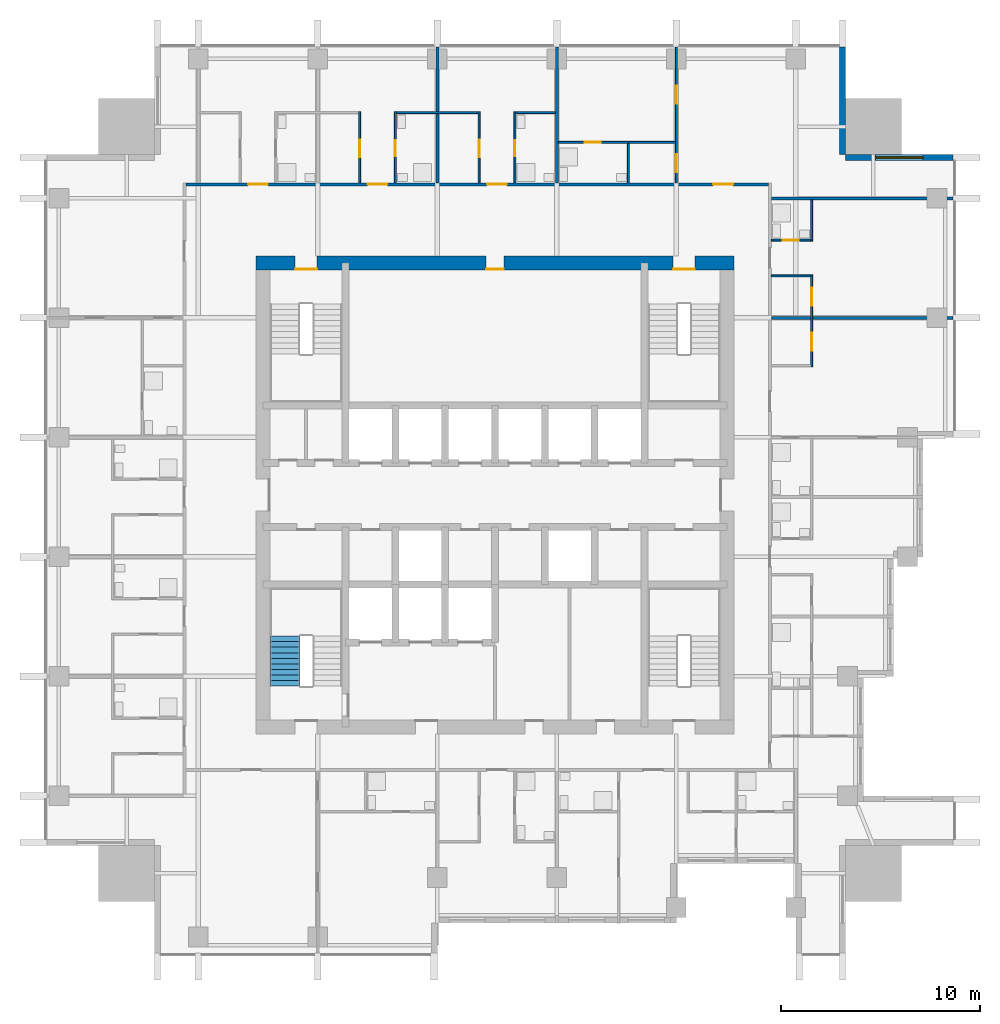
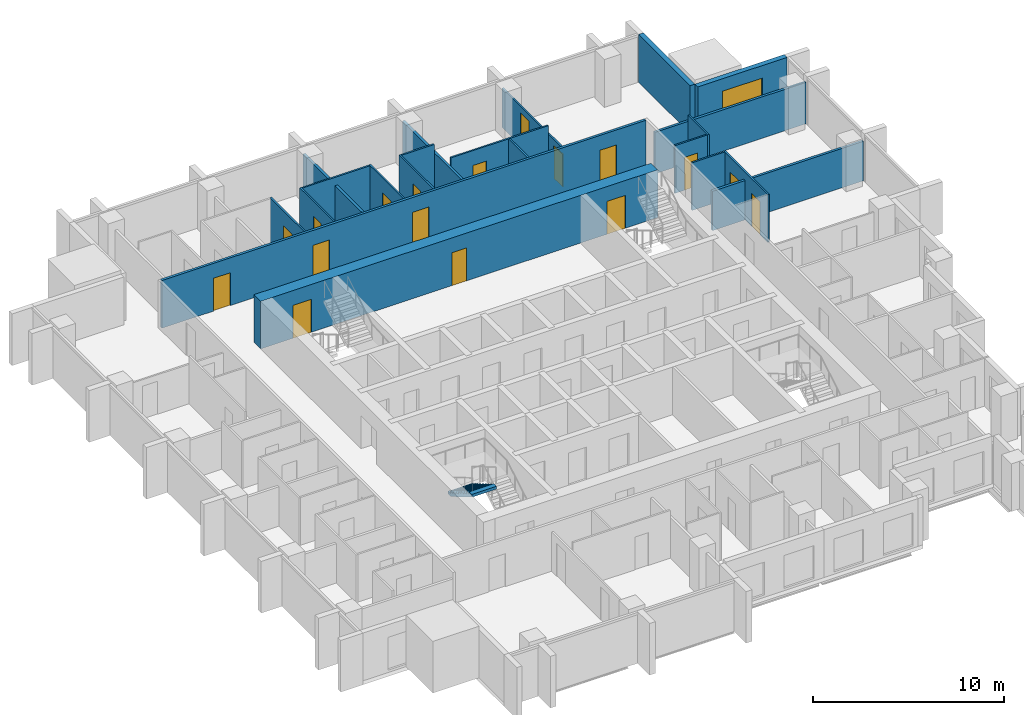
# One storey, part 8 of 11: 21 walls, 17 doors, 1 stair flight, 1 window, 18 openings, 1 element without a shape of its own.
"""IFC4 building model written with IfcOpenShell, lengths in metres."""

from ifc_helpers import new_model, si_unit, direction, frame, frame_2d, origin, place, context, subcontext, project, spatial, polyline, rectangle, outline, extrude, material, layer, layer_set, type_object, element, fill, aggregate, save


model = new_model("IFC4")

# Units and contexts
model_context = context("Model", 3, precision=1e-05, world=origin(), true_north=direction((0.0, 1.0)))
body_context = subcontext(model_context, "Body", "Model", "MODEL_VIEW")
ifc_project = project(units=[si_unit("LENGTHUNIT", "METRE"), si_unit("AREAUNIT", "SQUARE_METRE"), si_unit("VOLUMEUNIT", "CUBIC_METRE"), si_unit("PLANEANGLEUNIT", "RADIAN"), si_unit("MASSUNIT", "GRAM", prefix="KILO")], contexts=[model_context])

# Site, building, storey
site_placement = place(None, origin())
site = spatial("IfcSite", under=ifc_project, at=site_placement, CompositionType="ELEMENT")
building_placement = place(site_placement, origin())
building = spatial("IfcBuilding", under=site, at=building_placement, Name="Amberfall Residences", CompositionType="ELEMENT")
storey_placement = place(building_placement, frame((0.0, 0.0, 161.5)))
storey = spatial("IfcBuildingStorey", under=building, at=storey_placement, Name="L43", CompositionType="ELEMENT", Elevation=161.5)

# Wall, opening, window
ifc_material_1 = material(Name="Pale stone cladding on insulated backing", Category="masonry")
ifc_layer_1 = layer(ifc_material_1, 0.300048828125)
ifc_layer_set_1 = layer_set([ifc_layer_1], Name="Bronze clad wall 300")
wall_type_1 = type_object("IfcWallType", Name="Bronze clad wall 300", PredefinedType="SOLIDWALL", material=ifc_layer_set_1)
wall_1_placement = place(storey_placement, frame((97.5, 62.449951171875, 0.0), z_axis=(0.0, 0.0, 1.0), x_axis=(-1.0, 0.0, 0.0)))
wall_1 = element("IfcWall", 1, at=wall_1_placement, inside=storey, type_object=wall_type_1, Name="External wall L43 NE", PredefinedType="SOLIDWALL", context=body_context, shape_type="SweptSolid", body=[
    extrude(rectangle(XDim=5.39990234375, YDim=0.300048828125, at=frame_2d((2.699951171875, 0.0))), origin(), (0.0, 0.0, 1.0), 3.050048828125),
])
opening_1_placement = place(wall_1_placement, frame((1.5, 0.0, 0.14990234375)))
opening_1 = element("IfcOpeningElement", 2, at=opening_1_placement, cuts=wall_1, Name="Opening WN5", PredefinedType="OPENING", context=body_context, shape_type="SweptSolid", body=[
    extrude(rectangle(XDim=2.39990234375, YDim=2.10009765625, at=frame_2d((1.199951171875, 1.050048828125))), frame((0.0, 0.159912109375, 0.0), z_axis=(0.0, -1.0, 0.0), x_axis=(1.0, 0.0, 0.0)), (0.0, 0.0, 1.0), 0.320068359375),
])
ifc_material_2 = material(Name="Bronze aluminium framed glazing", Category="aluminium")
window_type = type_object("IfcWindowType", Name="Glazed opening 2400 x 2100 bronze", PartitioningType="DOUBLE_PANEL_VERTICAL", PredefinedType="WINDOW", material=ifc_material_2)
window_placement = place(opening_1_placement, origin())
window = element("IfcWindow", 3, at=window_placement, inside=storey, type_object=window_type, Name="Window L43 NE", OverallHeight=2.10009765625, OverallWidth=2.39990234375, PartitioningType="DOUBLE_PANEL_VERTICAL", PredefinedType="WINDOW", context=body_context, shape_type="SweptSolid", body=[
    extrude(rectangle(XDim=2.39990234375, YDim=2.10009765625, at=frame_2d((1.199951171875, 1.050048828125))), frame((0.0, 0.030029296875, 0.0), z_axis=(0.0, -1.0, 0.0), x_axis=(1.0, 0.0, 0.0)), (0.0, 0.0, 1.0), 0.06005859375),
])
fill(opening_1, window)

# Wall
wall_2_placement = place(storey_placement, frame((91.949951171875, 62.60009765625, 0.0), z_axis=(0.0, 0.0, 1.0), x_axis=(0.0, 1.0, 0.0)))
element("IfcWall", 4, at=wall_2_placement, inside=storey, type_object=wall_type_1, Name="External wall L43 NE", PredefinedType="SOLIDWALL", context=body_context, shape_type="SweptSolid", body=[
    extrude(rectangle(XDim=5.39990234375, YDim=0.300048828125, at=frame_2d((2.699951171875, 0.0))), origin(), (0.0, 0.0, 1.0), 3.050048828125),
])

# Wall, openings, doors
ifc_material_3 = material(Name="Concrete C60", Category="concrete")
ifc_layer_2 = layer(ifc_material_3, 0.699951171875)
ifc_layer_set_2 = layer_set([ifc_layer_2], Name="Core wall 700 C60")
wall_type_2 = type_object("IfcWallType", Name="Core wall 700 C60", PredefinedType="SHEAR", material=ifc_layer_set_2)
wall_3_placement = place(storey_placement, frame((62.5, 57.14990234375, 0.0), z_axis=(0.0, 0.0, 1.0), x_axis=(1.0, 0.0, 0.0)))
wall_3 = element("IfcWall", 5, at=wall_3_placement, inside=storey, type_object=wall_type_2, Name="Core wall RW5 L43 ON", PredefinedType="SHEAR", context=body_context, shape_type="SweptSolid", body=[
    extrude(rectangle(XDim=24.0, YDim=0.699951171875, at=frame_2d((12.0, 0.0))), origin(), (0.0, 0.0, 1.0), 3.050048828125),
])
opening_2_placement = place(wall_3_placement, frame((20.9375, 0.0, 0.0)))
opening_2 = element("IfcOpeningElement", 6, at=opening_2_placement, cuts=wall_3, Name="Opening SD1", PredefinedType="OPENING", context=body_context, shape_type="SweptSolid", body=[
    extrude(rectangle(XDim=1.10009765625, YDim=2.10009765625, at=frame_2d((0.550048828125, 1.050048828125))), frame((0.0, 0.35986328125, 0.0), z_axis=(0.0, -1.0, 0.0), x_axis=(1.0, 0.0, 0.0)), (0.0, 0.0, 1.0), 0.719970703125),
])
opening_3_placement = place(wall_3_placement, frame((1.96240234375, 0.0, 0.0)))
opening_3 = element("IfcOpeningElement", 7, at=opening_3_placement, cuts=wall_3, Name="Opening SD1", PredefinedType="OPENING", context=body_context, shape_type="SweptSolid", body=[
    extrude(rectangle(XDim=1.10009765625, YDim=2.10009765625, at=frame_2d((0.550048828125, 1.050048828125))), frame((0.0, 0.35986328125, 0.0), z_axis=(0.0, -1.0, 0.0), x_axis=(1.0, 0.0, 0.0)), (0.0, 0.0, 1.0), 0.719970703125),
])
opening_4_placement = place(wall_3_placement, frame((11.550048828125, 0.0, 0.0)))
opening_4 = element("IfcOpeningElement", 8, at=opening_4_placement, cuts=wall_3, Name="Opening RD1", PredefinedType="OPENING", context=body_context, shape_type="SweptSolid", body=[
    extrude(rectangle(XDim=0.89990234375, YDim=2.10009765625, at=frame_2d((0.449951171875, 1.050048828125))), frame((0.0, 0.35986328125, 0.0), z_axis=(0.0, -1.0, 0.0), x_axis=(1.0, 0.0, 0.0)), (0.0, 0.0, 1.0), 0.719970703125),
])
ifc_material_4 = material(Name="Steel fire door set", Category="steel")
door_type_1 = type_object("IfcDoorType", Name="Service room door 900 x 2100", OperationType="SINGLE_SWING_LEFT", PredefinedType="DOOR", material=ifc_material_4)
door_1_placement = place(opening_4_placement, origin())
door_1 = element("IfcDoor", 9, at=door_1_placement, inside=storey, type_object=door_type_1, Name="RD1 L43", OperationType="SINGLE_SWING_RIGHT", OverallHeight=2.10009765625, OverallWidth=0.89990234375, PredefinedType="DOOR", context=body_context, shape_type="SweptSolid", body=[
    extrude(rectangle(XDim=0.89990234375, YDim=2.10009765625, at=frame_2d((0.449951171875, 1.050048828125))), frame((0.0, -0.28759765625, 0.0), z_axis=(0.0, -1.0, 0.0), x_axis=(1.0, 0.0, 0.0)), (0.0, 0.0, 1.0), 0.050048828125),
])
fill(opening_4, door_1)
door_type_2 = type_object("IfcDoorType", Name="Stair door 1100 x 2100", OperationType="SINGLE_SWING_LEFT", PredefinedType="DOOR", material=ifc_material_4)
door_2_placement = place(opening_2_placement, origin())
door_2 = element("IfcDoor", 10, at=door_2_placement, inside=storey, type_object=door_type_2, Name="SD1 L43", OperationType="SINGLE_SWING_RIGHT", OverallHeight=2.10009765625, OverallWidth=1.10009765625, PredefinedType="DOOR", context=body_context, shape_type="SweptSolid", body=[
    extrude(rectangle(XDim=1.10009765625, YDim=2.10009765625, at=frame_2d((0.550048828125, 1.050048828125))), frame((0.0, -0.28759765625, 0.0), z_axis=(0.0, -1.0, 0.0), x_axis=(1.0, 0.0, 0.0)), (0.0, 0.0, 1.0), 0.050048828125),
])
fill(opening_2, door_2)
door_3_placement = place(opening_3_placement, origin())
door_3 = element("IfcDoor", 11, at=door_3_placement, inside=storey, type_object=door_type_2, Name="SD1 L43", OperationType="SINGLE_SWING_LEFT", OverallHeight=2.10009765625, OverallWidth=1.10009765625, PredefinedType="DOOR", context=body_context, shape_type="SweptSolid", body=[
    extrude(rectangle(XDim=1.10009765625, YDim=2.10009765625, at=frame_2d((0.550048828125, 1.050048828125))), frame((0.0, -0.28759765625, 0.0), z_axis=(0.0, -1.0, 0.0), x_axis=(1.0, 0.0, 0.0)), (0.0, 0.0, 1.0), 0.050048828125),
])
fill(opening_3, door_3)

# Wall, opening, door
ifc_material_5 = material(Name="Gypsum board on metal stud")
ifc_layer_3 = layer(ifc_material_5, 0.10009765625)
ifc_layer_set_3 = layer_set([ifc_layer_3], Name="Flat partition 100")
wall_type_3 = type_object("IfcWallType", Name="Flat partition 100", PredefinedType="PARTITIONING", material=ifc_layer_set_3)
wall_4_placement = place(storey_placement, frame((67.699951171875, 61.175048828125, 0.0), z_axis=(0.0, 0.0, 1.0), x_axis=(0.0, 1.0, 0.0)))
wall_4 = element("IfcWall", 12, at=wall_4_placement, inside=storey, type_object=wall_type_3, Name="Partition 009", PredefinedType="PARTITIONING", context=body_context, shape_type="SweptSolid", body=[
    extrude(rectangle(XDim=3.574951171875, YDim=0.10009765625, at=frame_2d((1.78759765625, 0.0))), origin(), (0.0, 0.0, 1.0), 3.050048828125),
])
opening_5_placement = place(wall_4_placement, frame((1.27490234375, 0.0, 0.0)))
opening_5 = element("IfcOpeningElement", 13, at=opening_5_placement, cuts=wall_4, Name="Opening D41", PredefinedType="OPENING", context=body_context, shape_type="SweptSolid", body=[
    extrude(rectangle(XDim=0.89990234375, YDim=2.10009765625, at=frame_2d((0.449951171875, 1.050048828125))), frame((0.0, 0.06005859375, 0.0), z_axis=(0.0, -1.0, 0.0), x_axis=(1.0, 0.0, 0.0)), (0.0, 0.0, 1.0), 0.1201171875),
])
ifc_material_6 = material(Name="Timber", Category="wood")
door_type_3 = type_object("IfcDoorType", Name="Internal door 900 x 2100", OperationType="SINGLE_SWING_LEFT", PredefinedType="DOOR", material=ifc_material_6)
door_4_placement = place(opening_5_placement, origin())
door_4 = element("IfcDoor", 14, at=door_4_placement, inside=storey, type_object=door_type_3, Name="Door 4309 kitchen", OperationType="SINGLE_SWING_LEFT", OverallHeight=2.10009765625, OverallWidth=0.89990234375, PredefinedType="DOOR", context=body_context, shape_type="SweptSolid", body=[
    extrude(rectangle(XDim=0.89990234375, YDim=2.10009765625, at=frame_2d((0.449951171875, 1.050048828125))), frame((0.0, 0.02490234375, 0.0), z_axis=(0.0, -1.0, 0.0), x_axis=(1.0, 0.0, 0.0)), (0.0, 0.0, 1.0), 0.050048828125),
])
fill(opening_5, door_4)

wall_5_placement = place(storey_placement, frame((69.5, 64.75, 0.0), z_axis=(0.0, 0.0, 1.0), x_axis=(0.0, -1.0, 0.0)))
wall_5 = element("IfcWall", 15, at=wall_5_placement, inside=storey, type_object=wall_type_3, Name="Partition 011", PredefinedType="PARTITIONING", context=body_context, shape_type="SweptSolid", body=[
    extrude(rectangle(XDim=3.574951171875, YDim=0.10009765625, at=frame_2d((1.78759765625, 0.0))), origin(), (0.0, 0.0, 1.0), 3.050048828125),
])
opening_6_placement = place(wall_5_placement, frame((1.449951171875, 0.0, 0.0)))
opening_6 = element("IfcOpeningElement", 16, at=opening_6_placement, cuts=wall_5, Name="Opening D42", PredefinedType="OPENING", context=body_context, shape_type="SweptSolid", body=[
    extrude(rectangle(XDim=0.800048828125, YDim=2.10009765625, at=frame_2d((0.39990234375, 1.050048828125))), frame((0.0, 0.06005859375, 0.0), z_axis=(0.0, -1.0, 0.0), x_axis=(1.0, 0.0, 0.0)), (0.0, 0.0, 1.0), 0.1201171875),
])
door_type_4 = type_object("IfcDoorType", Name="Bathroom door 800 x 2100", OperationType="SINGLE_SWING_LEFT", PredefinedType="DOOR", material=ifc_material_6)
door_5_placement = place(opening_6_placement, origin())
door_5 = element("IfcDoor", 17, at=door_5_placement, inside=storey, type_object=door_type_4, Name="Door 4309 bath1", OperationType="SINGLE_SWING_LEFT", OverallHeight=2.10009765625, OverallWidth=0.800048828125, PredefinedType="DOOR", context=body_context, shape_type="SweptSolid", body=[
    extrude(rectangle(XDim=0.800048828125, YDim=2.10009765625, at=frame_2d((0.39990234375, 1.050048828125))), frame((0.0, 0.02490234375, 0.0), z_axis=(0.0, -1.0, 0.0), x_axis=(1.0, 0.0, 0.0)), (0.0, 0.0, 1.0), 0.050048828125),
])
fill(opening_6, door_5)

wall_6_placement = place(storey_placement, frame((73.699951171875, 61.175048828125, 0.0), z_axis=(0.0, 0.0, 1.0), x_axis=(0.0, 1.0, 0.0)))
wall_6 = element("IfcWall", 18, at=wall_6_placement, inside=storey, type_object=wall_type_3, Name="Partition 013", PredefinedType="PARTITIONING", context=body_context, shape_type="SweptSolid", body=[
    extrude(rectangle(XDim=3.574951171875, YDim=0.10009765625, at=frame_2d((1.78759765625, 0.0))), origin(), (0.0, 0.0, 1.0), 3.050048828125),
])
opening_7_placement = place(wall_6_placement, frame((1.27490234375, 0.0, 0.0)))
opening_7 = element("IfcOpeningElement", 19, at=opening_7_placement, cuts=wall_6, Name="Opening D41", PredefinedType="OPENING", context=body_context, shape_type="SweptSolid", body=[
    extrude(rectangle(XDim=0.89990234375, YDim=2.10009765625, at=frame_2d((0.449951171875, 1.050048828125))), frame((0.0, 0.06005859375, 0.0), z_axis=(0.0, -1.0, 0.0), x_axis=(1.0, 0.0, 0.0)), (0.0, 0.0, 1.0), 0.1201171875),
])
door_6_placement = place(opening_7_placement, origin())
door_6 = element("IfcDoor", 20, at=door_6_placement, inside=storey, type_object=door_type_3, Name="Door 4310 kitchen", OperationType="SINGLE_SWING_LEFT", OverallHeight=2.10009765625, OverallWidth=0.89990234375, PredefinedType="DOOR", context=body_context, shape_type="SweptSolid", body=[
    extrude(rectangle(XDim=0.89990234375, YDim=2.10009765625, at=frame_2d((0.449951171875, 1.050048828125))), frame((0.0, 0.02490234375, 0.0), z_axis=(0.0, -1.0, 0.0), x_axis=(1.0, 0.0, 0.0)), (0.0, 0.0, 1.0), 0.050048828125),
])
fill(opening_7, door_6)

wall_7_placement = place(storey_placement, frame((75.5, 64.75, 0.0), z_axis=(0.0, 0.0, 1.0), x_axis=(0.0, -1.0, 0.0)))
wall_7 = element("IfcWall", 21, at=wall_7_placement, inside=storey, type_object=wall_type_3, Name="Partition 015", PredefinedType="PARTITIONING", context=body_context, shape_type="SweptSolid", body=[
    extrude(rectangle(XDim=3.574951171875, YDim=0.10009765625, at=frame_2d((1.78759765625, 0.0))), origin(), (0.0, 0.0, 1.0), 3.050048828125),
])
opening_8_placement = place(wall_7_placement, frame((1.449951171875, 0.0, 0.0)))
opening_8 = element("IfcOpeningElement", 22, at=opening_8_placement, cuts=wall_7, Name="Opening D42", PredefinedType="OPENING", context=body_context, shape_type="SweptSolid", body=[
    extrude(rectangle(XDim=0.800048828125, YDim=2.10009765625, at=frame_2d((0.39990234375, 1.050048828125))), frame((0.0, 0.06005859375, 0.0), z_axis=(0.0, -1.0, 0.0), x_axis=(1.0, 0.0, 0.0)), (0.0, 0.0, 1.0), 0.1201171875),
])
door_7_placement = place(opening_8_placement, origin())
door_7 = element("IfcDoor", 23, at=door_7_placement, inside=storey, type_object=door_type_4, Name="Door 4310 bath1", OperationType="SINGLE_SWING_LEFT", OverallHeight=2.10009765625, OverallWidth=0.800048828125, PredefinedType="DOOR", context=body_context, shape_type="SweptSolid", body=[
    extrude(rectangle(XDim=0.800048828125, YDim=2.10009765625, at=frame_2d((0.39990234375, 1.050048828125))), frame((0.0, 0.02490234375, 0.0), z_axis=(0.0, -1.0, 0.0), x_axis=(1.0, 0.0, 0.0)), (0.0, 0.0, 1.0), 0.050048828125),
])
fill(opening_8, door_7)

# Wall
wall_8_placement = place(storey_placement, frame((81.199951171875, 61.175048828125, 0.0), z_axis=(0.0, 0.0, 1.0), x_axis=(0.0, 1.0, 0.0)))
element("IfcWall", 24, at=wall_8_placement, inside=storey, type_object=wall_type_3, Name="Partition 017", PredefinedType="PARTITIONING", context=body_context, shape_type="SweptSolid", body=[
    extrude(rectangle(XDim=1.974853515625, YDim=0.10009765625, at=frame_2d((0.9873046875, 0.0))), origin(), (0.0, 0.0, 1.0), 3.050048828125),
])

# Wall, openings, doors
wall_9_placement = place(storey_placement, frame((83.60009765625, 61.175048828125, 0.0), z_axis=(0.0, 0.0, 1.0), x_axis=(0.0, 1.0, 0.0)))
wall_9 = element("IfcWall", 25, at=wall_9_placement, inside=storey, type_object=wall_type_3, Name="Partition 018", PredefinedType="PARTITIONING", context=body_context, shape_type="SweptSolid", body=[
    extrude(rectangle(XDim=6.824951171875, YDim=0.10009765625, at=frame_2d((3.41259765625, 0.0))), origin(), (0.0, 0.0, 1.0), 2.51611328125),
])
opening_9_placement = place(wall_9_placement, frame((0.52490234375, 0.0, 0.0)))
opening_9 = element("IfcOpeningElement", 26, at=opening_9_placement, cuts=wall_9, Name="Opening D41", PredefinedType="OPENING", context=body_context, shape_type="SweptSolid", body=[
    extrude(rectangle(XDim=0.89990234375, YDim=2.10009765625, at=frame_2d((0.449951171875, 1.050048828125))), frame((0.0, 0.06005859375, 0.0), z_axis=(0.0, -1.0, 0.0), x_axis=(1.0, 0.0, 0.0)), (0.0, 0.0, 1.0), 0.1201171875),
])
opening_10_placement = place(wall_9_placement, frame((3.97509765625, 0.0, 0.0)))
opening_10 = element("IfcOpeningElement", 27, at=opening_10_placement, cuts=wall_9, Name="Opening D41", PredefinedType="OPENING", context=body_context, shape_type="SweptSolid", body=[
    extrude(rectangle(XDim=0.89990234375, YDim=2.10009765625, at=frame_2d((0.449951171875, 1.050048828125))), frame((0.0, 0.06005859375, 0.0), z_axis=(0.0, -1.0, 0.0), x_axis=(1.0, 0.0, 0.0)), (0.0, 0.0, 1.0), 0.1201171875),
])
door_8_placement = place(opening_9_placement, origin())
door_8 = element("IfcDoor", 28, at=door_8_placement, inside=storey, type_object=door_type_3, Name="Door 4311 kitchen", OperationType="SINGLE_SWING_LEFT", OverallHeight=2.10009765625, OverallWidth=0.89990234375, PredefinedType="DOOR", context=body_context, shape_type="SweptSolid", body=[
    extrude(rectangle(XDim=0.89990234375, YDim=2.10009765625, at=frame_2d((0.449951171875, 1.050048828125))), frame((0.0, 0.02490234375, 0.0), z_axis=(0.0, -1.0, 0.0), x_axis=(1.0, 0.0, 0.0)), (0.0, 0.0, 1.0), 0.050048828125),
])
fill(opening_9, door_8)
door_9_placement = place(opening_10_placement, origin())
door_9 = element("IfcDoor", 29, at=door_9_placement, inside=storey, type_object=door_type_3, Name="Door 4311 bedroom1", OperationType="SINGLE_SWING_LEFT", OverallHeight=2.10009765625, OverallWidth=0.89990234375, PredefinedType="DOOR", context=body_context, shape_type="SweptSolid", body=[
    extrude(rectangle(XDim=0.89990234375, YDim=2.10009765625, at=frame_2d((0.449951171875, 1.050048828125))), frame((0.0, 0.02490234375, 0.0), z_axis=(0.0, -1.0, 0.0), x_axis=(1.0, 0.0, 0.0)), (0.0, 0.0, 1.0), 0.050048828125),
])
fill(opening_10, door_9)

wall_10_placement = place(storey_placement, frame((90.39990234375, 51.949951171875, 0.0), z_axis=(0.0, 0.0, 1.0), x_axis=(0.0, 1.0, 0.0)))
wall_10 = element("IfcWall", 30, at=wall_10_placement, inside=storey, type_object=wall_type_3, Name="Partition 023", PredefinedType="PARTITIONING", context=body_context, shape_type="SweptSolid", body=[
    extrude(rectangle(XDim=4.60009765625, YDim=0.10009765625, at=frame_2d((2.300048828125, 0.0))), origin(), (0.0, 0.0, 1.0), 3.050048828125),
])
opening_11_placement = place(wall_10_placement, frame((0.800048828125, 0.0, 0.0)))
opening_11 = element("IfcOpeningElement", 31, at=opening_11_placement, cuts=wall_10, Name="Opening D41", PredefinedType="OPENING", context=body_context, shape_type="SweptSolid", body=[
    extrude(rectangle(XDim=0.89990234375, YDim=2.10009765625, at=frame_2d((0.449951171875, 1.050048828125))), frame((0.0, 0.06005859375, 0.0), z_axis=(0.0, -1.0, 0.0), x_axis=(1.0, 0.0, 0.0)), (0.0, 0.0, 1.0), 0.1201171875),
])
opening_12_placement = place(wall_10_placement, frame((3.050048828125, 0.0, 0.0)))
opening_12 = element("IfcOpeningElement", 32, at=opening_12_placement, cuts=wall_10, Name="Opening D41", PredefinedType="OPENING", context=body_context, shape_type="SweptSolid", body=[
    extrude(rectangle(XDim=0.89990234375, YDim=2.10009765625, at=frame_2d((0.449951171875, 1.050048828125))), frame((0.0, 0.06005859375, 0.0), z_axis=(0.0, -1.0, 0.0), x_axis=(1.0, 0.0, 0.0)), (0.0, 0.0, 1.0), 0.1201171875),
])
door_10_placement = place(opening_11_placement, origin())
door_10 = element("IfcDoor", 33, at=door_10_placement, inside=storey, type_object=door_type_3, Name="Door 4306 kitchen", OperationType="SINGLE_SWING_LEFT", OverallHeight=2.10009765625, OverallWidth=0.89990234375, PredefinedType="DOOR", context=body_context, shape_type="SweptSolid", body=[
    extrude(rectangle(XDim=0.89990234375, YDim=2.10009765625, at=frame_2d((0.449951171875, 1.050048828125))), frame((0.0, 0.02490234375, 0.0), z_axis=(0.0, -1.0, 0.0), x_axis=(1.0, 0.0, 0.0)), (0.0, 0.0, 1.0), 0.050048828125),
])
fill(opening_11, door_10)
door_11_placement = place(opening_12_placement, origin())
door_11 = element("IfcDoor", 34, at=door_11_placement, inside=storey, type_object=door_type_3, Name="Door 4307 kitchen", OperationType="SINGLE_SWING_LEFT", OverallHeight=2.10009765625, OverallWidth=0.89990234375, PredefinedType="DOOR", context=body_context, shape_type="SweptSolid", body=[
    extrude(rectangle(XDim=0.89990234375, YDim=2.10009765625, at=frame_2d((0.449951171875, 1.050048828125))), frame((0.0, 0.02490234375, 0.0), z_axis=(0.0, -1.0, 0.0), x_axis=(1.0, 0.0, 0.0)), (0.0, 0.0, 1.0), 0.050048828125),
])
fill(opening_12, door_11)

# Walls
wall_11_placement = place(storey_placement, frame((90.39990234375, 58.25, 0.0), z_axis=(0.0, 0.0, 1.0), x_axis=(0.0, 1.0, 0.0)))
element("IfcWall", 35, at=wall_11_placement, inside=storey, type_object=wall_type_3, Name="Partition 024", PredefinedType="PARTITIONING", context=body_context, shape_type="SweptSolid", body=[
    extrude(rectangle(XDim=2.074951171875, YDim=0.10009765625, at=frame_2d((1.03759765625, 0.0))), origin(), (0.0, 0.0, 1.0), 3.050048828125),
])
wall_12_placement = place(storey_placement, frame((69.550048828125, 64.699951171875, 0.0), z_axis=(0.0, 0.0, 1.0), x_axis=(1.0, 0.0, 0.0)))
element("IfcWall", 36, at=wall_12_placement, inside=storey, type_object=wall_type_3, Name="Partition 027", PredefinedType="PARTITIONING", context=body_context, shape_type="SweptSolid", body=[
    extrude(rectangle(XDim=4.099853515625, YDim=0.10009765625, at=frame_2d((2.0498046875, 0.0))), origin(), (0.0, 0.0, 1.0), 3.050048828125),
])
wall_13_placement = place(storey_placement, frame((75.550048828125, 64.699951171875, 0.0), z_axis=(0.0, 0.0, 1.0), x_axis=(1.0, 0.0, 0.0)))
element("IfcWall", 37, at=wall_13_placement, inside=storey, type_object=wall_type_3, Name="Partition 028", PredefinedType="PARTITIONING", context=body_context, shape_type="SweptSolid", body=[
    extrude(rectangle(XDim=1.974853515625, YDim=0.10009765625, at=frame_2d((0.9873046875, 0.0))), origin(), (0.0, 0.0, 1.0), 3.050048828125),
])

# Wall, opening, door
wall_14_placement = place(storey_placement, frame((83.550048828125, 63.199951171875, 0.0), z_axis=(0.0, 0.0, 1.0), x_axis=(-1.0, 0.0, 0.0)))
wall_14 = element("IfcWall", 38, at=wall_14_placement, inside=storey, type_object=wall_type_3, Name="Partition 029", PredefinedType="PARTITIONING", context=body_context, shape_type="SweptSolid", body=[
    extrude(rectangle(XDim=5.875, YDim=0.10009765625, at=frame_2d((2.9375, 0.0))), origin(), (0.0, 0.0, 1.0), 3.050048828125),
])
opening_13_placement = place(wall_14_placement, frame((3.75, 0.0, 0.0)))
opening_13 = element("IfcOpeningElement", 39, at=opening_13_placement, cuts=wall_14, Name="Opening D42", PredefinedType="OPENING", context=body_context, shape_type="SweptSolid", body=[
    extrude(rectangle(XDim=0.800048828125, YDim=2.10009765625, at=frame_2d((0.39990234375, 1.050048828125))), frame((0.0, 0.06005859375, 0.0), z_axis=(0.0, -1.0, 0.0), x_axis=(1.0, 0.0, 0.0)), (0.0, 0.0, 1.0), 0.1201171875),
])
door_12_placement = place(opening_13_placement, origin())
door_12 = element("IfcDoor", 40, at=door_12_placement, inside=storey, type_object=door_type_4, Name="Door 4311 bath1", OperationType="SINGLE_SWING_LEFT", OverallHeight=2.10009765625, OverallWidth=0.800048828125, PredefinedType="DOOR", context=body_context, shape_type="SweptSolid", body=[
    extrude(rectangle(XDim=0.800048828125, YDim=2.10009765625, at=frame_2d((0.39990234375, 1.050048828125))), frame((0.0, 0.02490234375, 0.0), z_axis=(0.0, -1.0, 0.0), x_axis=(1.0, 0.0, 0.0)), (0.0, 0.0, 1.0), 0.050048828125),
])
fill(opening_13, door_12)

wall_15_placement = place(storey_placement, frame((88.375, 58.300048828125, 0.0), z_axis=(0.0, 0.0, 1.0), x_axis=(1.0, 0.0, 0.0)))
wall_15 = element("IfcWall", 41, at=wall_15_placement, inside=storey, type_object=wall_type_3, Name="Partition 030", PredefinedType="PARTITIONING", context=body_context, shape_type="SweptSolid", body=[
    extrude(rectangle(XDim=1.97509765625, YDim=0.10009765625, at=frame_2d((0.987548828125, 0.0))), origin(), (0.0, 0.0, 1.0), 3.050048828125),
])
opening_14_placement = place(wall_15_placement, frame((0.574951171875, 0.0, 0.0)))
opening_14 = element("IfcOpeningElement", 42, at=opening_14_placement, cuts=wall_15, Name="Opening D42", PredefinedType="OPENING", context=body_context, shape_type="SweptSolid", body=[
    extrude(rectangle(XDim=0.800048828125, YDim=2.10009765625, at=frame_2d((0.39990234375, 1.050048828125))), frame((0.0, 0.06005859375, 0.0), z_axis=(0.0, -1.0, 0.0), x_axis=(1.0, 0.0, 0.0)), (0.0, 0.0, 1.0), 0.1201171875),
])
door_13_placement = place(opening_14_placement, origin())
door_13 = element("IfcDoor", 43, at=door_13_placement, inside=storey, type_object=door_type_4, Name="Door 4307 bath1", OperationType="SINGLE_SWING_LEFT", OverallHeight=2.10009765625, OverallWidth=0.800048828125, PredefinedType="DOOR", context=body_context, shape_type="SweptSolid", body=[
    extrude(rectangle(XDim=0.800048828125, YDim=2.10009765625, at=frame_2d((0.39990234375, 1.050048828125))), frame((0.0, 0.02490234375, 0.0), z_axis=(0.0, -1.0, 0.0), x_axis=(1.0, 0.0, 0.0)), (0.0, 0.0, 1.0), 0.050048828125),
])
fill(opening_14, door_13)

# Walls
wall_16_placement = place(storey_placement, frame((88.375, 56.5, 0.0), z_axis=(0.0, 0.0, 1.0), x_axis=(1.0, 0.0, 0.0)))
element("IfcWall", 44, at=wall_16_placement, inside=storey, type_object=wall_type_3, Name="Partition 031", PredefinedType="PARTITIONING", context=body_context, shape_type="SweptSolid", body=[
    extrude(rectangle(XDim=1.97509765625, YDim=0.10009765625, at=frame_2d((0.987548828125, 0.0))), origin(), (0.0, 0.0, 1.0), 3.050048828125),
])
ifc_material_7 = material(Name="Blockwork, plastered", Category="masonry")
ifc_layer_4 = layer(ifc_material_7, 0.14990234375)
ifc_layer_set_4 = layer_set([ifc_layer_4], Name="Flat separating wall 150")
wall_type_4 = type_object("IfcWallType", Name="Flat separating wall 150", PredefinedType="PARTITIONING", material=ifc_layer_set_4)
for number, where, z_axis, x_axis, name in (
    (45, (71.60009765625, 61.175048828125, 0.0), (0.0, 0.0, 1.0), (0.0, 1.0, 0.0), "Separating wall 055"),
    (46, (77.60009765625, 61.175048828125, 0.0), (0.0, 0.0, 1.0), (0.0, 1.0, 0.0), "Separating wall 057"),
):
    element("IfcWall", number, at=place(storey_placement, frame(where, z_axis=z_axis, x_axis=x_axis)), inside=storey, type_object=wall_type_4, Name=name, PredefinedType="PARTITIONING", context=body_context, shape_type="SweptSolid", body=[
        extrude(rectangle(XDim=6.824951171875, YDim=0.14990234375, at=frame_2d((3.41259765625, 0.0))), origin(), (0.0, 0.0, 1.0), 2.51611328125),
    ])

# Wall, openings, doors
wall_17_placement = place(storey_placement, frame((58.97509765625, 61.10009765625, 0.0), z_axis=(0.0, 0.0, 1.0), x_axis=(1.0, 0.0, 0.0)))
wall_17 = element("IfcWall", 47, at=wall_17_placement, inside=storey, type_object=wall_type_4, Name="Separating wall 060", PredefinedType="PARTITIONING", context=body_context, shape_type="SweptSolid", body=[
    extrude(rectangle(XDim=29.25, YDim=0.14990234375, at=frame_2d((14.625, 0.0))), origin(), (0.0, 0.0, 1.0), 3.050048828125),
])
opening_15_placement = place(wall_17_placement, frame((3.125, 0.0, 0.0)))
opening_15 = element("IfcOpeningElement", 48, at=opening_15_placement, cuts=wall_17, Name="Opening D40", PredefinedType="OPENING", context=body_context, shape_type="SweptSolid", body=[
    extrude(rectangle(XDim=1.0, YDim=2.10009765625, at=frame_2d((0.5, 1.050048828125))), frame((0.0, 0.0849609375, 0.0), z_axis=(0.0, -1.0, 0.0), x_axis=(1.0, 0.0, 0.0)), (0.0, 0.0, 1.0), 0.169921875),
])
opening_16_placement = place(wall_17_placement, frame((9.125, 0.0, 0.0)))
opening_16 = element("IfcOpeningElement", 49, at=opening_16_placement, cuts=wall_17, Name="Opening D40", PredefinedType="OPENING", context=body_context, shape_type="SweptSolid", body=[
    extrude(rectangle(XDim=1.0, YDim=2.10009765625, at=frame_2d((0.5, 1.050048828125))), frame((0.0, 0.0849609375, 0.0), z_axis=(0.0, -1.0, 0.0), x_axis=(1.0, 0.0, 0.0)), (0.0, 0.0, 1.0), 0.169921875),
])
opening_17_placement = place(wall_17_placement, frame((15.125, 0.0, 0.0)))
opening_17 = element("IfcOpeningElement", 50, at=opening_17_placement, cuts=wall_17, Name="Opening D40", PredefinedType="OPENING", context=body_context, shape_type="SweptSolid", body=[
    extrude(rectangle(XDim=1.0, YDim=2.10009765625, at=frame_2d((0.5, 1.050048828125))), frame((0.0, 0.0849609375, 0.0), z_axis=(0.0, -1.0, 0.0), x_axis=(1.0, 0.0, 0.0)), (0.0, 0.0, 1.0), 0.169921875),
])
opening_18_placement = place(wall_17_placement, frame((26.47509765625, 0.0, 0.0)))
opening_18 = element("IfcOpeningElement", 51, at=opening_18_placement, cuts=wall_17, Name="Opening D40", PredefinedType="OPENING", context=body_context, shape_type="SweptSolid", body=[
    extrude(rectangle(XDim=1.0, YDim=2.10009765625, at=frame_2d((0.5, 1.050048828125))), frame((0.0, 0.0849609375, 0.0), z_axis=(0.0, -1.0, 0.0), x_axis=(1.0, 0.0, 0.0)), (0.0, 0.0, 1.0), 0.169921875),
])
ifc_material_8 = material(Name="Timber, fire-rated", Category="wood")
door_type_5 = type_object("IfcDoorType", Name="Flat entrance door FD60 1000 x 2100", OperationType="SINGLE_SWING_LEFT", PredefinedType="DOOR", material=ifc_material_8)
door_14_placement = place(opening_15_placement, origin())
door_14 = element("IfcDoor", 52, at=door_14_placement, inside=storey, type_object=door_type_5, Name="Door 4308 entrance", OperationType="SINGLE_SWING_LEFT", OverallHeight=2.10009765625, OverallWidth=1.0, PredefinedType="DOOR", context=body_context, shape_type="SweptSolid", body=[
    extrude(rectangle(XDim=1.0, YDim=2.10009765625, at=frame_2d((0.5, 1.050048828125))), frame((0.0, 0.02490234375, 0.0), z_axis=(0.0, -1.0, 0.0), x_axis=(1.0, 0.0, 0.0)), (0.0, 0.0, 1.0), 0.050048828125),
])
fill(opening_15, door_14)
door_15_placement = place(opening_16_placement, origin())
door_15 = element("IfcDoor", 53, at=door_15_placement, inside=storey, type_object=door_type_5, Name="Door 4309 entrance", OperationType="SINGLE_SWING_LEFT", OverallHeight=2.10009765625, OverallWidth=1.0, PredefinedType="DOOR", context=body_context, shape_type="SweptSolid", body=[
    extrude(rectangle(XDim=1.0, YDim=2.10009765625, at=frame_2d((0.5, 1.050048828125))), frame((0.0, 0.02490234375, 0.0), z_axis=(0.0, -1.0, 0.0), x_axis=(1.0, 0.0, 0.0)), (0.0, 0.0, 1.0), 0.050048828125),
])
fill(opening_16, door_15)
door_16_placement = place(opening_17_placement, origin())
door_16 = element("IfcDoor", 54, at=door_16_placement, inside=storey, type_object=door_type_5, Name="Door 4310 entrance", OperationType="SINGLE_SWING_LEFT", OverallHeight=2.10009765625, OverallWidth=1.0, PredefinedType="DOOR", context=body_context, shape_type="SweptSolid", body=[
    extrude(rectangle(XDim=1.0, YDim=2.10009765625, at=frame_2d((0.5, 1.050048828125))), frame((0.0, 0.02490234375, 0.0), z_axis=(0.0, -1.0, 0.0), x_axis=(1.0, 0.0, 0.0)), (0.0, 0.0, 1.0), 0.050048828125),
])
fill(opening_17, door_16)
door_17_placement = place(opening_18_placement, origin())
door_17 = element("IfcDoor", 55, at=door_17_placement, inside=storey, type_object=door_type_5, Name="Door 4311 entrance", OperationType="SINGLE_SWING_LEFT", OverallHeight=2.10009765625, OverallWidth=1.0, PredefinedType="DOOR", context=body_context, shape_type="SweptSolid", body=[
    extrude(rectangle(XDim=1.0, YDim=2.10009765625, at=frame_2d((0.5, 1.050048828125))), frame((0.0, 0.02490234375, 0.0), z_axis=(0.0, -1.0, 0.0), x_axis=(1.0, 0.0, 0.0)), (0.0, 0.0, 1.0), 0.050048828125),
])
fill(opening_18, door_17)

# Walls
wall_18_placement = place(storey_placement, frame((88.375, 60.39990234375, 0.0), z_axis=(0.0, 0.0, 1.0), x_axis=(1.0, 0.0, 0.0)))
element("IfcWall", 56, at=wall_18_placement, inside=storey, type_object=wall_type_4, Name="Separating wall 061", PredefinedType="PARTITIONING", context=body_context, shape_type="SweptSolid", body=[
    extrude(rectangle(XDim=9.125, YDim=0.14990234375, at=frame_2d((4.5625, 0.0))), origin(), (0.0, 0.0, 1.0), 2.64697265625),
])
wall_19_placement = place(storey_placement, frame((88.375, 54.39990234375, 0.0), z_axis=(0.0, 0.0, 1.0), x_axis=(1.0, 0.0, 0.0)))
element("IfcWall", 57, at=wall_19_placement, inside=storey, type_object=wall_type_4, Name="Separating wall 062", PredefinedType="PARTITIONING", context=body_context, shape_type="SweptSolid", body=[
    extrude(rectangle(XDim=9.125, YDim=0.14990234375, at=frame_2d((4.5625, 0.0))), origin(), (0.0, 0.0, 1.0), 2.51611328125),
])

# Stair, stair flight
ifc_material_9 = material(Name="Concrete C40", Category="concrete")
stair_type = type_object("IfcStairType", Name="Exit stair 20 risers 165.0 mm", PredefinedType="HALF_TURN_STAIR", material=ifc_material_9)
stair_placement = place(storey_placement, origin())
stair = element("IfcStair", 58, at=stair_placement, inside=storey, type_object=stair_type, Name="L43 Exit stair 1", PredefinedType="HALF_TURN_STAIR")
stair_flight_type = type_object("IfcStairFlightType", Name="Stair flight 10 risers 165.0 mm", PredefinedType="STRAIGHT", material=ifc_material_9)
stair_flight_placement = place(storey_placement, frame((63.949951171875, 38.419921875, 1.64990234375), z_axis=(0.0, 0.0, 1.0), x_axis=(0.0, -1.0, 0.0)))
stair_flight = element("IfcStairFlight", 59, at=stair_flight_placement, type_object=stair_flight_type, Name="ST3 flight 2", NumberOfRisers=10, NumberOfTreads=9, PredefinedType="STRAIGHT", RiserHeight=0.165, TreadLength=0.28, context=body_context, shape_type="SweptSolid", body=[
    extrude(outline(polyline([(0.0, 0.0), (0.0, 0.1650390625), (0.280029296875, 0.1650390625), (0.280029296875, 0.330078125), (0.56005859375, 0.330078125), (0.56005859375, 0.4951171875), (0.840087890625, 0.4951171875), (0.840087890625, 0.659912109375), (1.1201171875, 0.659912109375), (1.1201171875, 0.824951171875), (1.39990234375, 0.824951171875), (1.39990234375, 0.989990234375), (1.679931640625, 0.989990234375), (1.679931640625, 1.155029296875), (1.9599609375, 1.155029296875), (1.9599609375, 1.320068359375), (2.239990234375, 1.320068359375), (2.239990234375, 1.485107421875), (2.52001953125, 1.485107421875), (2.52001953125, 1.64990234375), (2.52001953125, 1.31103515625), (0.295166015625, 0.0), (0.0, 0.0)])), frame((0.0, 0.75, 0.0), z_axis=(0.0, -1.0, 0.0), x_axis=(1.0, 0.0, 0.0)), (0.0, 0.0, 1.0), 1.5),
])
aggregate(stair, [stair_flight])

save(model, "model.ifc")
